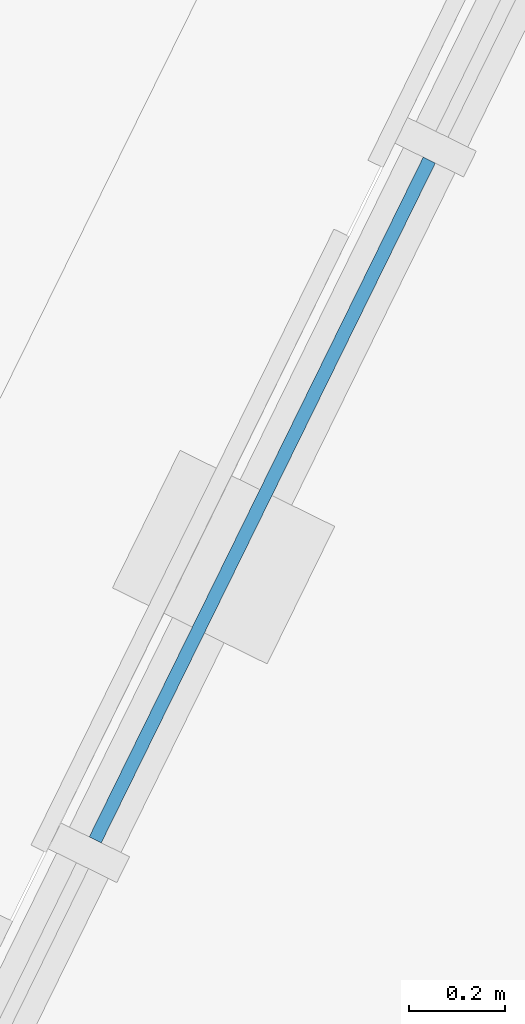
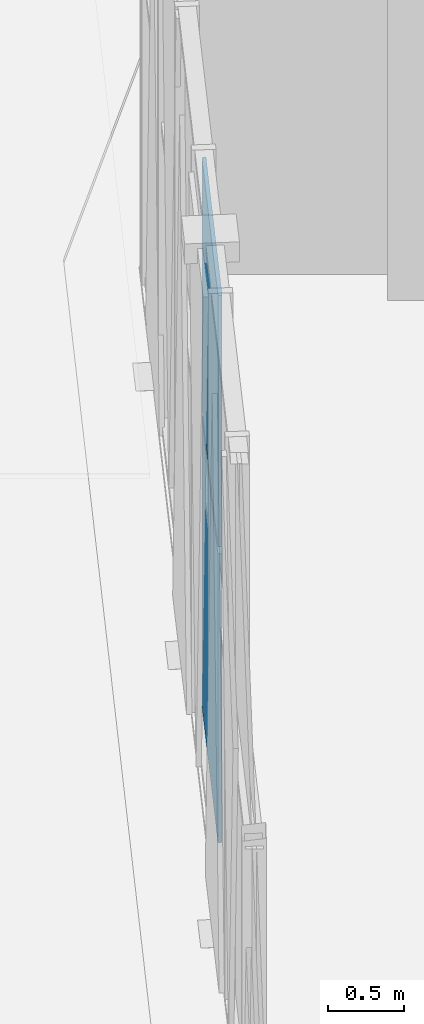
# One storey, part 81 of 179: 2 plates, 1 element without a shape of its own.
"""IFC4 building model written with IfcOpenShell, lengths in metres."""

from ifc_helpers import new_model, si_unit, direction, frame, origin, origin_2d, place, context, subcontext, project, spatial, rectangle, extrude, material, layer, layer_set, type_object, element, aggregate, save


model = new_model("IFC4")

# Units and contexts
model_context = context("Model", 3, precision=1e-05, world=origin(), true_north=direction((0.0, 1.0)))
body_context = subcontext(model_context, "Body", "Model", "MODEL_VIEW")
ifc_project = project(units=[si_unit("LENGTHUNIT", "METRE"), si_unit("AREAUNIT", "SQUARE_METRE"), si_unit("VOLUMEUNIT", "CUBIC_METRE"), si_unit("PLANEANGLEUNIT", "RADIAN"), si_unit("MASSUNIT", "GRAM", prefix="KILO")], contexts=[model_context])

# Site, building, storey
site_placement = place(None, origin())
site = spatial("IfcSite", under=ifc_project, at=site_placement, CompositionType="ELEMENT")
building_placement = place(site_placement, origin())
building = spatial("IfcBuilding", under=site, at=building_placement, Name="Zevraka Park Crest Stadium", CompositionType="ELEMENT")
storey_placement = place(building_placement, frame((0.0, 0.0, 10.199951171875)))
storey = spatial("IfcBuildingStorey", under=building, at=storey_placement, Name="L02", CompositionType="ELEMENT", Elevation=10.199951171875)

# Curtain wall, plates
ifc_material_1 = material(Name="Anodised architectural aluminium and laminated safety glass", Category="aluminium")
curtain_wall_type = type_object("IfcCurtainWallType", Name="CW07", PredefinedType="NOTDEFINED", material=ifc_material_1)
curtain_wall_placement = place(storey_placement, origin())
curtain_wall = element("IfcCurtainWall", 1, at=curtain_wall_placement, inside=storey, type_object=curtain_wall_type, Name="Unitised Ring Curtain Wall CW07 L02-10", PredefinedType="NOTDEFINED")
ifc_material_2 = material(Name="Solar-control laminated double glazing", Category="glass")
ifc_layer = layer(ifc_material_2, 0.028076171875)
ifc_layer_set = layer_set([ifc_layer], Name="Solar-control laminated double glazing")
plate_type = type_object("IfcPlateType", Name="CP07", PredefinedType="CURTAIN_PANEL", material=ifc_layer_set)
plate_1_placement = place(storey_placement, frame((26.769775390625, 126.929443359375, 0.06005859375), z_axis=(0.0, 0.0, 1.0), x_axis=(-0.441021032455, -0.897496768201, 0.0)))
plate_1 = element("IfcPlate", 2, at=plate_1_placement, type_object=plate_type, Name="CW07 panel 4.1", PredefinedType="CURTAIN_PANEL", context=body_context, shape_type="SweptSolid", body=[
    extrude(rectangle(XDim=1.58251953125, YDim=0.028076171875, at=origin_2d()), origin(), (0.0, 0.0, 1.0), 2.31005859375),
])
plate_2_placement = place(storey_placement, frame((26.769775390625, 126.929443359375, 2.43017578125), z_axis=(0.0, 0.0, 1.0), x_axis=(-0.441021032455, -0.897496768201, 0.0)))
plate_2 = element("IfcPlate", 3, at=plate_2_placement, type_object=plate_type, Name="CW07 panel 4.2", PredefinedType="CURTAIN_PANEL", context=body_context, shape_type="SweptSolid", body=[
    extrude(rectangle(XDim=1.58251953125, YDim=0.028076171875, at=origin_2d()), origin(), (0.0, 0.0, 1.0), 2.010009765625),
])
aggregate(curtain_wall, [plate_1, plate_2])

save(model, "model.ifc")
